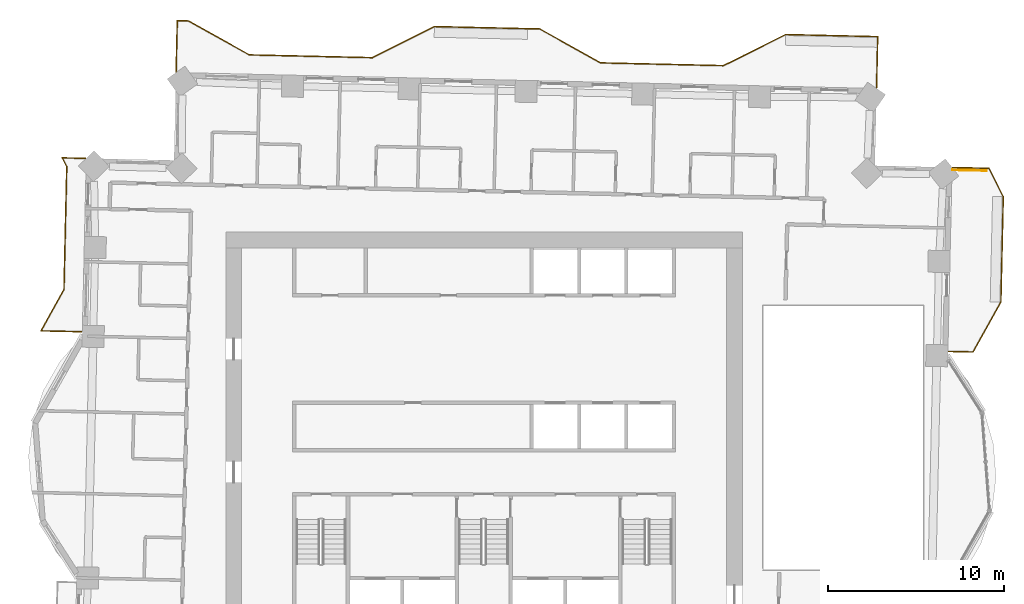
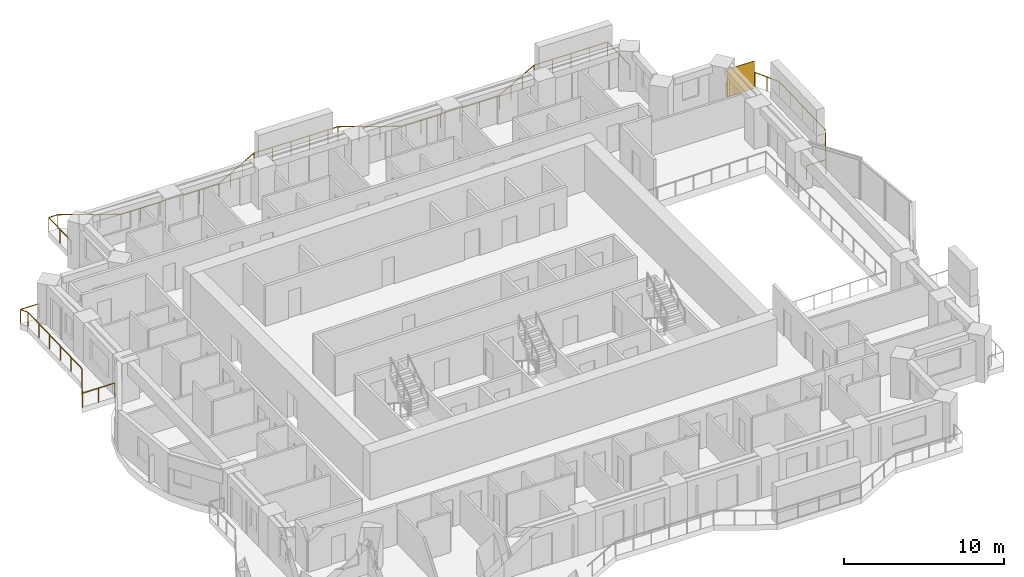
# One storey, part 14 of 14: 3 railings, 1 shading device.
"""IFC4 building model written with IfcOpenShell, lengths in metres."""

from ifc_helpers import new_model, si_unit, direction, frame, origin, origin_2d, place, context, subcontext, project, spatial, rectangle, extrude, material, type_object, element, save


model = new_model("IFC4")

# Units and contexts
model_context = context("Model", 3, precision=1e-05, world=origin(), true_north=direction((0.0, 1.0)))
body_context = subcontext(model_context, "Body", "Model", "MODEL_VIEW")
ifc_project = project(units=[si_unit("LENGTHUNIT", "METRE"), si_unit("AREAUNIT", "SQUARE_METRE"), si_unit("VOLUMEUNIT", "CUBIC_METRE"), si_unit("PLANEANGLEUNIT", "RADIAN"), si_unit("MASSUNIT", "GRAM", prefix="KILO")], contexts=[model_context])

# Site, building, storey
site_placement = place(None, origin())
site = spatial("IfcSite", under=ifc_project, at=site_placement, CompositionType="ELEMENT")
building_placement = place(site_placement, origin())
building = spatial("IfcBuilding", under=site, at=building_placement, Name="Mangrove Gate Tower", CompositionType="ELEMENT")
storey_placement = place(building_placement, frame((0.0, 0.0, 163.5)))
storey = spatial("IfcBuildingStorey", under=building, at=storey_placement, Name="L41", CompositionType="ELEMENT", Elevation=163.5)

# Railings
ifc_material_1 = material(Name="Stainless steel grade 316 with laminated glass infill", Category="steel")
railing_type = type_object("IfcRailingType", Name="Balcony guard 1100", PredefinedType="GUARDRAIL", material=ifc_material_1)
railing_1_placement = place(storey_placement, frame((26.43505859375, 4.9130859375, 0.0)))
element("IfcRailing", 1, at=railing_1_placement, inside=storey, type_object=railing_type, Name="GUARD L41 E2", PredefinedType="GUARDRAIL", context=body_context, shape_type="SweptSolid", body=[
    extrude(rectangle(XDim=0.048095703125, YDim=0.048095703125, at=origin_2d()), frame((0.0, 0.0, 1.076171875), z_axis=(0.999751267222, -0.022302548909, 0.0), x_axis=(0.022302548909, 0.999751267222, 0.0)), (0.0, 0.0, 1.0), 1.39013671875),
    extrude(rectangle(XDim=0.048095703125, YDim=0.048095703125, at=origin_2d()), frame((1.389892578125, -0.031005859375, 1.076171875), z_axis=(0.487350185664, 0.873206617321, 0.0), x_axis=(-0.873206617321, 0.487350185664, 0.0)), (0.0, 0.0, 1.0), 3.252197265625),
    extrude(rectangle(XDim=0.048095703125, YDim=0.048095703125, at=origin_2d()), frame((2.974853515625, 2.808837890625, 1.076171875), z_axis=(0.022665943652, 0.999743094499, 0.0), x_axis=(-0.999743094499, 0.022665943652, 0.0)), (0.0, 0.0, 1.0), 5.99951171875),
    extrude(rectangle(XDim=0.048095703125, YDim=0.048095703125, at=origin_2d()), frame((3.11083984375, 8.806884765625, 1.076171875), z_axis=(-0.446889830742, 0.894589000145, 0.0), x_axis=(-0.894589000145, -0.446889830742, 0.0)), (0.0, 0.0, 1.0), 1.809814453125),
    extrude(rectangle(XDim=0.048095703125, YDim=0.048095703125, at=origin_2d()), frame((2.302001953125, 10.426025390625, 1.076171875), z_axis=(-0.999752827486, 0.022232497228, 0.0), x_axis=(-0.022232497228, -0.999752827486, 0.0)), (0.0, 0.0, 1.0), 2.064453125),
    extrude(rectangle(XDim=0.0419921875, YDim=0.0419921875, at=origin_2d()), origin(), (0.0, 0.0, 1.0), 1.052001953125),
    extrude(rectangle(XDim=0.0419921875, YDim=0.0419921875, at=origin_2d()), frame((1.389892578125, -0.031005859375, 0.0)), (0.0, 0.0, 1.0), 1.052001953125),
    extrude(rectangle(XDim=0.0419921875, YDim=0.0419921875, at=origin_2d()), frame((1.918212890625, 0.91552734375, 0.0)), (0.0, 0.0, 1.0), 1.052001953125),
    extrude(rectangle(XDim=0.0419921875, YDim=0.0419921875, at=origin_2d()), frame((2.446533203125, 1.8623046875, 0.0)), (0.0, 0.0, 1.0), 1.052001953125),
    extrude(rectangle(XDim=0.0419921875, YDim=0.0419921875, at=origin_2d()), frame((2.974853515625, 2.808837890625, 0.0)), (0.0, 0.0, 1.0), 1.052001953125),
    extrude(rectangle(XDim=0.0419921875, YDim=0.0419921875, at=origin_2d()), frame((3.0087890625, 4.308349609375, 0.0)), (0.0, 0.0, 1.0), 1.052001953125),
    extrude(rectangle(XDim=0.0419921875, YDim=0.0419921875, at=origin_2d()), frame((3.04296875, 5.807861328125, 0.0)), (0.0, 0.0, 1.0), 1.052001953125),
    extrude(rectangle(XDim=0.0419921875, YDim=0.0419921875, at=origin_2d()), frame((3.076904296875, 7.307373046875, 0.0)), (0.0, 0.0, 1.0), 1.052001953125),
    extrude(rectangle(XDim=0.0419921875, YDim=0.0419921875, at=origin_2d()), frame((3.11083984375, 8.806884765625, 0.0)), (0.0, 0.0, 1.0), 1.052001953125),
    extrude(rectangle(XDim=0.0419921875, YDim=0.0419921875, at=origin_2d()), frame((2.70654296875, 9.616455078125, 0.0)), (0.0, 0.0, 1.0), 1.052001953125),
    extrude(rectangle(XDim=0.0419921875, YDim=0.0419921875, at=origin_2d()), frame((2.302001953125, 10.426025390625, 0.0)), (0.0, 0.0, 1.0), 1.052001953125),
    extrude(rectangle(XDim=0.0419921875, YDim=0.0419921875, at=origin_2d()), frame((1.27001953125, 10.448974609375, 0.0)), (0.0, 0.0, 1.0), 1.052001953125),
    extrude(rectangle(XDim=0.0419921875, YDim=0.0419921875, at=origin_2d()), frame((0.238037109375, 10.471923828125, 0.0)), (0.0, 0.0, 1.0), 1.052001953125),
])
railing_2_placement = place(storey_placement, frame((22.3349609375, 19.925048828125, 0.0)))
element("IfcRailing", 2, at=railing_2_placement, inside=storey, type_object=railing_type, Name="GUARD L41 N1", PredefinedType="GUARDRAIL", context=body_context, shape_type="SweptSolid", body=[
    extrude(rectangle(XDim=0.048095703125, YDim=0.048095703125, at=origin_2d()), frame((0.0, 0.0, 1.076171875), z_axis=(0.022654696127, 0.999743349437, 0.0), x_axis=(-0.999743349437, 0.022654696127, 0.0)), (0.0, 0.0, 1.0), 2.90966796875),
    extrude(rectangle(XDim=0.048095703125, YDim=0.048095703125, at=origin_2d()), frame((0.06591796875, 2.908935546875, 1.076171875), z_axis=(-0.999742556631, 0.022689655377, 0.0), x_axis=(-0.022689655377, -0.999742556631, 0.0)), (0.0, 0.0, 1.0), 5.240234375),
    extrude(rectangle(XDim=0.048095703125, YDim=0.048095703125, at=origin_2d()), frame((-5.1728515625, 3.02783203125, 1.076171875), z_axis=(-0.894501186021, -0.447065574839, 0.0), x_axis=(0.447065574839, -0.894501186021, 0.0)), (0.0, 0.0, 1.0), 3.958740234375),
    extrude(rectangle(XDim=0.048095703125, YDim=0.048095703125, at=origin_2d()), frame((-8.7138671875, 1.258056640625, 1.076171875), z_axis=(-0.999742195543, 0.022705559911, 0.0), x_axis=(-0.022705559911, -0.999742195543, 0.0)), (0.0, 0.0, 1.0), 6.999755859375),
    extrude(rectangle(XDim=0.048095703125, YDim=0.048095703125, at=origin_2d()), frame((-15.7119140625, 1.4169921875, 1.076171875), z_axis=(-0.87325689943, 0.48726008209, 0.0), x_axis=(-0.48726008209, -0.87325689943, 0.0)), (0.0, 0.0, 1.0), 3.958740234375),
    extrude(rectangle(XDim=0.048095703125, YDim=0.048095703125, at=origin_2d()), frame((-19.1689453125, 3.345947265625, 1.076171875), z_axis=(-0.999735131741, 0.023014481582, 0.0), x_axis=(-0.023014481582, -0.999735131741, 0.0)), (0.0, 0.0, 1.0), 0.7001953125),
    extrude(rectangle(XDim=0.048095703125, YDim=0.048095703125, at=origin_2d()), frame((-19.868896484375, 3.362060546875, 1.076171875), z_axis=(-0.999744231672, 0.022615729912, 0.0), x_axis=(-0.022615729912, -0.999744231672, 0.0)), (0.0, 0.0, 1.0), 5.300537109375),
    extrude(rectangle(XDim=0.048095703125, YDim=0.048095703125, at=origin_2d()), frame((-25.16796875, 3.48193359375, 1.076171875), z_axis=(-0.894476522376, -0.447114919141, 0.0), x_axis=(0.447114919141, -0.894476522376, 0.0)), (0.0, 0.0, 1.0), 3.958740234375),
    extrude(rectangle(XDim=0.048095703125, YDim=0.048095703125, at=origin_2d()), frame((-28.708984375, 1.7119140625, 1.076171875), z_axis=(-0.999742195543, 0.022705559911, 0.0), x_axis=(-0.022705559911, -0.999742195543, 0.0)), (0.0, 0.0, 1.0), 6.999755859375),
    extrude(rectangle(XDim=0.048095703125, YDim=0.048095703125, at=origin_2d()), frame((-35.70703125, 1.870849609375, 1.076171875), z_axis=(-0.873230657876, 0.487307108654, 0.0), x_axis=(-0.487307108654, -0.873230657876, 0.0)), (0.0, 0.0, 1.0), 3.958984375),
    extrude(rectangle(XDim=0.048095703125, YDim=0.048095703125, at=origin_2d()), frame((-39.1640625, 3.800048828125, 1.076171875), z_axis=(-0.999763608608, 0.021742283743, 0.0), x_axis=(-0.021742283743, -0.999763608608, 0.0)), (0.0, 0.0, 1.0), 0.64013671875),
    extrude(rectangle(XDim=0.048095703125, YDim=0.048095703125, at=origin_2d()), frame((-39.803955078125, 3.81396484375, 1.076171875), z_axis=(-0.022654696127, -0.999743349437, 0.0), x_axis=(0.999743349437, -0.022654696127, 0.0)), (0.0, 0.0, 1.0), 2.90966796875),
    extrude(rectangle(XDim=0.0419921875, YDim=0.0419921875, at=origin_2d()), origin(), (0.0, 0.0, 1.0), 1.052001953125),
    extrude(rectangle(XDim=0.0419921875, YDim=0.0419921875, at=origin_2d()), frame((0.032958984375, 1.45458984375, 0.0)), (0.0, 0.0, 1.0), 1.052001953125),
    extrude(rectangle(XDim=0.0419921875, YDim=0.0419921875, at=origin_2d()), frame((0.06591796875, 2.908935546875, 0.0)), (0.0, 0.0, 1.0), 1.052001953125),
    extrude(rectangle(XDim=0.0419921875, YDim=0.0419921875, at=origin_2d()), frame((-1.24365234375, 2.938720703125, 0.0)), (0.0, 0.0, 1.0), 1.052001953125),
    extrude(rectangle(XDim=0.0419921875, YDim=0.0419921875, at=origin_2d()), frame((-2.553466796875, 2.96826171875, 0.0)), (0.0, 0.0, 1.0), 1.052001953125),
    extrude(rectangle(XDim=0.0419921875, YDim=0.0419921875, at=origin_2d()), frame((-3.86328125, 2.998046875, 0.0)), (0.0, 0.0, 1.0), 1.052001953125),
    extrude(rectangle(XDim=0.0419921875, YDim=0.0419921875, at=origin_2d()), frame((-5.1728515625, 3.02783203125, 0.0)), (0.0, 0.0, 1.0), 1.052001953125),
    extrude(rectangle(XDim=0.0419921875, YDim=0.0419921875, at=origin_2d()), frame((-6.353271484375, 2.43798828125, 0.0)), (0.0, 0.0, 1.0), 1.052001953125),
    extrude(rectangle(XDim=0.0419921875, YDim=0.0419921875, at=origin_2d()), frame((-7.533447265625, 1.847900390625, 0.0)), (0.0, 0.0, 1.0), 1.052001953125),
    extrude(rectangle(XDim=0.0419921875, YDim=0.0419921875, at=origin_2d()), frame((-8.7138671875, 1.258056640625, 0.0)), (0.0, 0.0, 1.0), 1.052001953125),
    extrude(rectangle(XDim=0.0419921875, YDim=0.0419921875, at=origin_2d()), frame((-10.113525390625, 1.289794921875, 0.0)), (0.0, 0.0, 1.0), 1.052001953125),
    extrude(rectangle(XDim=0.0419921875, YDim=0.0419921875, at=origin_2d()), frame((-11.51318359375, 1.321533203125, 0.0)), (0.0, 0.0, 1.0), 1.052001953125),
    extrude(rectangle(XDim=0.0419921875, YDim=0.0419921875, at=origin_2d()), frame((-12.91259765625, 1.353515625, 0.0)), (0.0, 0.0, 1.0), 1.052001953125),
    extrude(rectangle(XDim=0.0419921875, YDim=0.0419921875, at=origin_2d()), frame((-14.312255859375, 1.38525390625, 0.0)), (0.0, 0.0, 1.0), 1.052001953125),
    extrude(rectangle(XDim=0.0419921875, YDim=0.0419921875, at=origin_2d()), frame((-15.7119140625, 1.4169921875, 0.0)), (0.0, 0.0, 1.0), 1.052001953125),
    extrude(rectangle(XDim=0.0419921875, YDim=0.0419921875, at=origin_2d()), frame((-16.8642578125, 2.06005859375, 0.0)), (0.0, 0.0, 1.0), 1.052001953125),
    extrude(rectangle(XDim=0.0419921875, YDim=0.0419921875, at=origin_2d()), frame((-18.0166015625, 2.702880859375, 0.0)), (0.0, 0.0, 1.0), 1.052001953125),
    extrude(rectangle(XDim=0.0419921875, YDim=0.0419921875, at=origin_2d()), frame((-19.1689453125, 3.345947265625, 0.0)), (0.0, 0.0, 1.0), 1.052001953125),
    extrude(rectangle(XDim=0.0419921875, YDim=0.0419921875, at=origin_2d()), frame((-19.868896484375, 3.362060546875, 0.0)), (0.0, 0.0, 1.0), 1.052001953125),
    extrude(rectangle(XDim=0.0419921875, YDim=0.0419921875, at=origin_2d()), frame((-21.193603515625, 3.39208984375, 0.0)), (0.0, 0.0, 1.0), 1.052001953125),
    extrude(rectangle(XDim=0.0419921875, YDim=0.0419921875, at=origin_2d()), frame((-22.5185546875, 3.421875, 0.0)), (0.0, 0.0, 1.0), 1.052001953125),
    extrude(rectangle(XDim=0.0419921875, YDim=0.0419921875, at=origin_2d()), frame((-23.84326171875, 3.451904296875, 0.0)), (0.0, 0.0, 1.0), 1.052001953125),
    extrude(rectangle(XDim=0.0419921875, YDim=0.0419921875, at=origin_2d()), frame((-25.16796875, 3.48193359375, 0.0)), (0.0, 0.0, 1.0), 1.052001953125),
    extrude(rectangle(XDim=0.0419921875, YDim=0.0419921875, at=origin_2d()), frame((-26.348388671875, 2.891845703125, 0.0)), (0.0, 0.0, 1.0), 1.052001953125),
    extrude(rectangle(XDim=0.0419921875, YDim=0.0419921875, at=origin_2d()), frame((-27.528564453125, 2.302001953125, 0.0)), (0.0, 0.0, 1.0), 1.052001953125),
    extrude(rectangle(XDim=0.0419921875, YDim=0.0419921875, at=origin_2d()), frame((-28.708984375, 1.7119140625, 0.0)), (0.0, 0.0, 1.0), 1.052001953125),
    extrude(rectangle(XDim=0.0419921875, YDim=0.0419921875, at=origin_2d()), frame((-30.108642578125, 1.74365234375, 0.0)), (0.0, 0.0, 1.0), 1.052001953125),
    extrude(rectangle(XDim=0.0419921875, YDim=0.0419921875, at=origin_2d()), frame((-31.50830078125, 1.775390625, 0.0)), (0.0, 0.0, 1.0), 1.052001953125),
    extrude(rectangle(XDim=0.0419921875, YDim=0.0419921875, at=origin_2d()), frame((-32.90771484375, 1.807373046875, 0.0)), (0.0, 0.0, 1.0), 1.052001953125),
    extrude(rectangle(XDim=0.0419921875, YDim=0.0419921875, at=origin_2d()), frame((-34.307373046875, 1.839111328125, 0.0)), (0.0, 0.0, 1.0), 1.052001953125),
    extrude(rectangle(XDim=0.0419921875, YDim=0.0419921875, at=origin_2d()), frame((-35.70703125, 1.870849609375, 0.0)), (0.0, 0.0, 1.0), 1.052001953125),
    extrude(rectangle(XDim=0.0419921875, YDim=0.0419921875, at=origin_2d()), frame((-36.859375, 2.513916015625, 0.0)), (0.0, 0.0, 1.0), 1.052001953125),
    extrude(rectangle(XDim=0.0419921875, YDim=0.0419921875, at=origin_2d()), frame((-38.01171875, 3.156982421875, 0.0)), (0.0, 0.0, 1.0), 1.052001953125),
    extrude(rectangle(XDim=0.0419921875, YDim=0.0419921875, at=origin_2d()), frame((-39.1640625, 3.800048828125, 0.0)), (0.0, 0.0, 1.0), 1.052001953125),
    extrude(rectangle(XDim=0.0419921875, YDim=0.0419921875, at=origin_2d()), frame((-39.803955078125, 3.81396484375, 0.0)), (0.0, 0.0, 1.0), 1.052001953125),
    extrude(rectangle(XDim=0.0419921875, YDim=0.0419921875, at=origin_2d()), frame((-39.8369140625, 2.359375, 0.0)), (0.0, 0.0, 1.0), 1.052001953125),
    extrude(rectangle(XDim=0.0419921875, YDim=0.0419921875, at=origin_2d()), frame((-39.869873046875, 0.905029296875, 0.0)), (0.0, 0.0, 1.0), 1.052001953125),
])
railing_3_placement = place(storey_placement, frame((-22.68798828125, 15.906005859375, 0.0)))
element("IfcRailing", 3, at=railing_3_placement, inside=storey, type_object=railing_type, Name="GUARD L41 W1", PredefinedType="GUARDRAIL", context=body_context, shape_type="SweptSolid", body=[
    extrude(rectangle(XDim=0.048095703125, YDim=0.048095703125, at=origin_2d()), frame((0.0, 0.0, 1.076171875), z_axis=(-0.999759326701, 0.021938292435, 0.0), x_axis=(-0.021938292435, -0.999759326701, 0.0)), (0.0, 0.0, 1.0), 1.32421875),
    extrude(rectangle(XDim=0.048095703125, YDim=0.048095703125, at=origin_2d()), frame((-1.323974609375, 0.029052734375, 1.076171875), z_axis=(0.447732128968, -0.894167736328, 0.0), x_axis=(0.894167736328, 0.447732128968, 0.0)), (0.0, 0.0, 1.0), 0.56494140625),
    extrude(rectangle(XDim=0.048095703125, YDim=0.048095703125, at=origin_2d()), frame((-1.071044921875, -0.47607421875, 1.076171875), z_axis=(-0.022702393474, -0.999742267452, 0.0), x_axis=(0.999742267452, -0.022702393474, 0.0)), (0.0, 0.0, 1.0), 7.000732421875),
    extrude(rectangle(XDim=0.048095703125, YDim=0.048095703125, at=origin_2d()), frame((-1.22998046875, -7.47509765625, 1.076171875), z_axis=(-0.487440307169, -0.873156313009, 0.0), x_axis=(0.873156313009, -0.487440307169, 0.0)), (0.0, 0.0, 1.0), 2.685546875),
    extrude(rectangle(XDim=0.048095703125, YDim=0.048095703125, at=origin_2d()), frame((-2.5390625, -9.820068359375, 1.076171875), z_axis=(0.999747788443, -0.022457949688, 0.0), x_axis=(0.022457949688, 0.999747788443, 0.0)), (0.0, 0.0, 1.0), 2.3154296875),
    extrude(rectangle(XDim=0.0419921875, YDim=0.0419921875, at=origin_2d()), origin(), (0.0, 0.0, 1.0), 1.052001953125),
    extrude(rectangle(XDim=0.0419921875, YDim=0.0419921875, at=origin_2d()), frame((-1.323974609375, 0.029052734375, 0.0)), (0.0, 0.0, 1.0), 1.052001953125),
    extrude(rectangle(XDim=0.0419921875, YDim=0.0419921875, at=origin_2d()), frame((-1.071044921875, -0.47607421875, 0.0)), (0.0, 0.0, 1.0), 1.052001953125),
    extrude(rectangle(XDim=0.0419921875, YDim=0.0419921875, at=origin_2d()), frame((-1.102783203125, -1.8759765625, 0.0)), (0.0, 0.0, 1.0), 1.052001953125),
    extrude(rectangle(XDim=0.0419921875, YDim=0.0419921875, at=origin_2d()), frame((-1.134521484375, -3.275634765625, 0.0)), (0.0, 0.0, 1.0), 1.052001953125),
    extrude(rectangle(XDim=0.0419921875, YDim=0.0419921875, at=origin_2d()), frame((-1.16650390625, -4.675537109375, 0.0)), (0.0, 0.0, 1.0), 1.052001953125),
    extrude(rectangle(XDim=0.0419921875, YDim=0.0419921875, at=origin_2d()), frame((-1.1982421875, -6.0751953125, 0.0)), (0.0, 0.0, 1.0), 1.052001953125),
    extrude(rectangle(XDim=0.0419921875, YDim=0.0419921875, at=origin_2d()), frame((-1.22998046875, -7.47509765625, 0.0)), (0.0, 0.0, 1.0), 1.052001953125),
    extrude(rectangle(XDim=0.0419921875, YDim=0.0419921875, at=origin_2d()), frame((-1.884521484375, -8.6474609375, 0.0)), (0.0, 0.0, 1.0), 1.052001953125),
    extrude(rectangle(XDim=0.0419921875, YDim=0.0419921875, at=origin_2d()), frame((-2.5390625, -9.820068359375, 0.0)), (0.0, 0.0, 1.0), 1.052001953125),
    extrude(rectangle(XDim=0.0419921875, YDim=0.0419921875, at=origin_2d()), frame((-1.381591796875, -9.84619140625, 0.0)), (0.0, 0.0, 1.0), 1.052001953125),
    extrude(rectangle(XDim=0.0419921875, YDim=0.0419921875, at=origin_2d()), frame((-0.22412109375, -9.8720703125, 0.0)), (0.0, 0.0, 1.0), 1.052001953125),
])

# Shading device
ifc_material_2 = material(Name="Timber slat screen in teak", Category="wood")
shading_device_type = type_object("IfcShadingDeviceType", Name="Balcony screen 2100", PredefinedType="USERDEFINED", material=ifc_material_2)
shading_device_placement = place(storey_placement, frame((27.6220703125, 15.22412109375, 0.0), z_axis=(0.0, 0.0, 1.0), x_axis=(0.999749296784, -0.022390702975, 0.0)))
element("IfcShadingDevice", 4, at=shading_device_placement, inside=storey, type_object=shading_device_type, Name="SCREEN L41 E1", ObjectType="SCREEN", PredefinedType="USERDEFINED", context=body_context, shape_type="SweptSolid", body=[
    extrude(rectangle(XDim=1.945068359375, YDim=0.050048828125, at=origin_2d()), origin(), (0.0, 0.0, 1.0), 2.10009765625),
])

save(model, "model.ifc")
